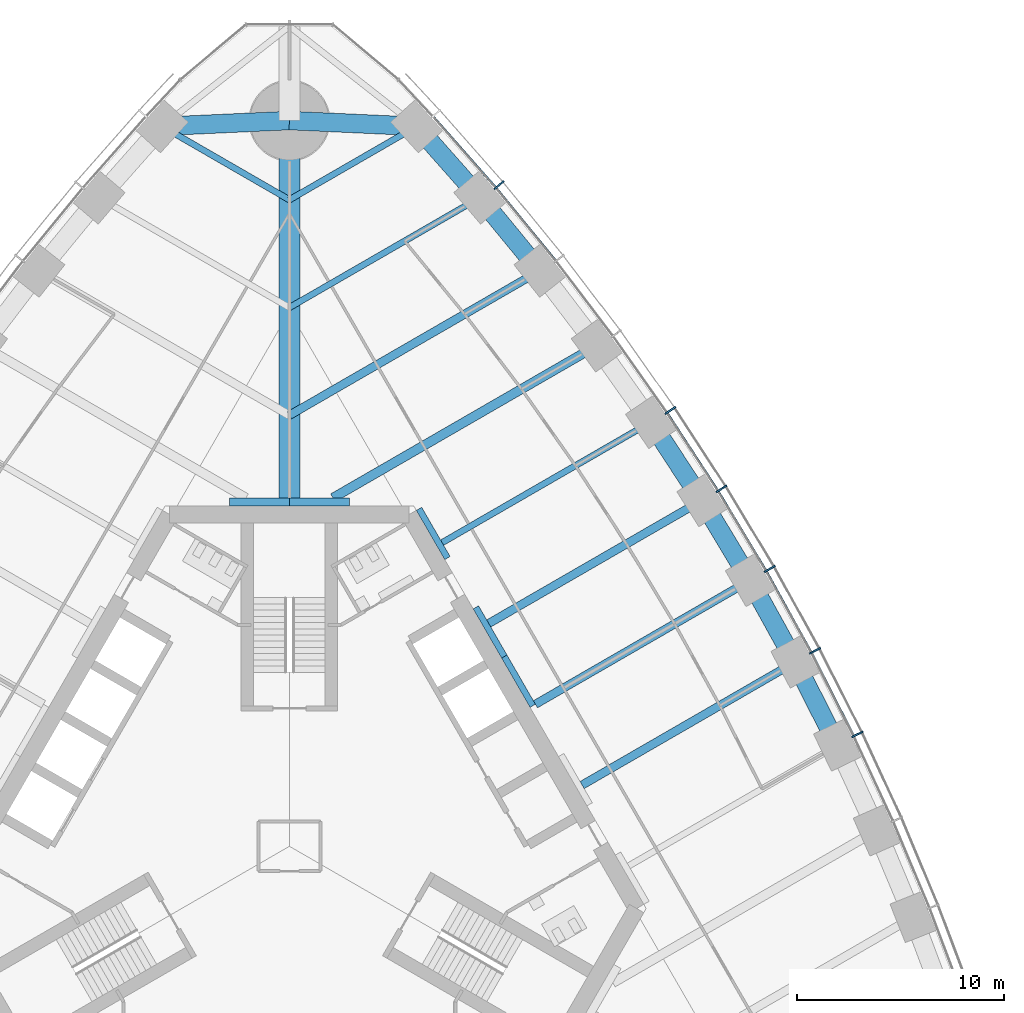
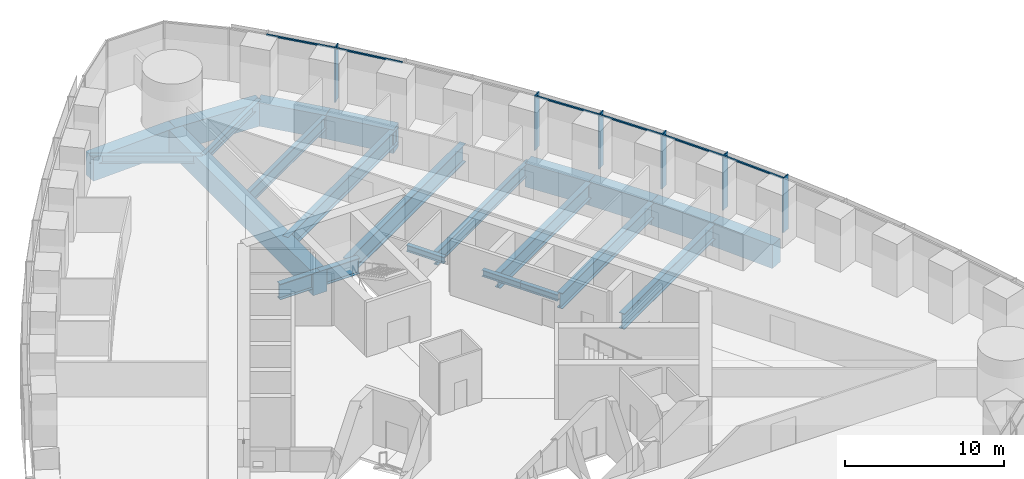
# One storey, part 5 of 19: 23 beams, 12 members, 1 element without a shape of its own.
"""IFC4 building model written with IfcOpenShell, lengths in metres."""

from ifc_helpers import new_model, si_unit, direction, frame, origin, origin_2d, place, context, subcontext, project, spatial, rectangle, i_section, extrude, material, material_profile, profile_set, type_object, element, aggregate, save


model = new_model("IFC4")

# Units and contexts
model_context = context("Model", 3, precision=1e-05, world=origin(), true_north=direction((0.0, 1.0)))
body_context = subcontext(model_context, "Body", "Model", "MODEL_VIEW")
ifc_project = project(units=[si_unit("LENGTHUNIT", "METRE"), si_unit("AREAUNIT", "SQUARE_METRE"), si_unit("VOLUMEUNIT", "CUBIC_METRE"), si_unit("PLANEANGLEUNIT", "RADIAN"), si_unit("MASSUNIT", "GRAM", prefix="KILO")], contexts=[model_context])

# Site, building, storey
site_placement = place(None, origin())
site = spatial("IfcSite", under=ifc_project, at=site_placement, CompositionType="ELEMENT")
building_placement = place(site_placement, origin())
building = spatial("IfcBuilding", under=site, at=building_placement, Name="Trefoil Bronze Tower", CompositionType="ELEMENT")
storey_placement = place(building_placement, frame((0.0, 0.0, 166.10009765625)))
storey = spatial("IfcBuildingStorey", under=building, at=storey_placement, Name="L38", CompositionType="ELEMENT", Elevation=166.10009765625)

# Curtain wall, members
ifc_material_1 = material(Name="Tinted solar-control glass", Category="glass")
curtain_wall_type = type_object("IfcCurtainWallType", Name="Bronze office curtain wall", PredefinedType="USERDEFINED", material=ifc_material_1)
curtain_wall_placement = place(storey_placement, origin())
curtain_wall = element("IfcCurtainWall", 1, at=curtain_wall_placement, inside=storey, type_object=curtain_wall_type, Name="CW-A L38 F2", ObjectType="CURTAIN WALL", PredefinedType="USERDEFINED")
ifc_material_2 = material(Name="Bronze-finish aluminium", Category="aluminium")
ifc_material_profile_1 = material_profile(ifc_material_2, rectangle(XDim=0.60009765625, YDim=0.080078125, at=origin_2d()), Name="CW-A mullion")
ifc_profile_set_1 = profile_set([ifc_material_profile_1], Name="Bronze-finish aluminium")
member_type_1 = type_object("IfcMemberType", Name="Bronze office curtain wall mullion", PredefinedType="MULLION", material=ifc_profile_set_1)
member_1_placement = place(storey_placement, frame((27.394775390625, 5.399169921875, 0.0), z_axis=(0.0, 0.0, 1.0), x_axis=(-0.899819602033, -0.436262173236, 0.0)))
member_1 = element("IfcMember", 2, at=member_1_placement, type_object=member_type_1, Name="CW-A L38 F2 mullion 6", PredefinedType="MULLION", context=body_context, shape_type="SweptSolid", body=[
    extrude(rectangle(XDim=0.60009765625, YDim=0.080078125, at=origin_2d()), origin(), (0.0, 0.0, 1.0), 4.179931640625),
])
member_2_placement = place(storey_placement, frame((25.350830078125, 9.427734375, 0.0), z_axis=(0.0, 0.0, 1.0), x_axis=(-0.883486441467, -0.468456729853, 0.0)))
member_2 = element("IfcMember", 3, at=member_2_placement, type_object=member_type_1, Name="CW-A L38 F2 mullion 7", PredefinedType="MULLION", context=body_context, shape_type="SweptSolid", body=[
    extrude(rectangle(XDim=0.60009765625, YDim=0.080078125, at=origin_2d()), origin(), (0.0, 0.0, 1.0), 4.179931640625),
])
member_3_placement = place(storey_placement, frame((23.166015625, 13.374755859375, 0.0), z_axis=(0.0, 0.0, 1.0), x_axis=(-0.866025403784, -0.5, 0.0)))
member_3 = element("IfcMember", 4, at=member_3_placement, type_object=member_type_1, Name="CW-A L38 F2 mullion 8", PredefinedType="MULLION", context=body_context, shape_type="SweptSolid", body=[
    extrude(rectangle(XDim=0.60009765625, YDim=0.080078125, at=origin_2d()), origin(), (0.0, 0.0, 1.0), 4.179931640625),
])
member_4_placement = place(storey_placement, frame((20.840087890625, 17.24072265625, 0.0), z_axis=(0.0, 0.0, 1.0), x_axis=(-0.84743864936, -0.530893337283, 0.0)))
member_4 = element("IfcMember", 5, at=member_4_placement, type_object=member_type_1, Name="CW-A L38 F2 mullion 9", PredefinedType="MULLION", context=body_context, shape_type="SweptSolid", body=[
    extrude(rectangle(XDim=0.60009765625, YDim=0.080078125, at=origin_2d()), origin(), (0.0, 0.0, 1.0), 4.179931640625),
])
member_5_placement = place(storey_placement, frame((18.373046875, 21.025146484375, 0.0), z_axis=(0.0, 0.0, 1.0), x_axis=(-0.827723925749, -0.561135547566, 0.0)))
member_5 = element("IfcMember", 6, at=member_5_placement, type_object=member_type_1, Name="CW-A L38 F2 mullion 10", PredefinedType="MULLION", context=body_context, shape_type="SweptSolid", body=[
    extrude(rectangle(XDim=0.60009765625, YDim=0.080078125, at=origin_2d()), origin(), (0.0, 0.0, 1.0), 4.179931640625),
])
member_6_placement = place(storey_placement, frame((10.11474609375, 31.8828125, 0.0), z_axis=(0.0, 0.0, 1.0), x_axis=(-0.761721651066, -0.647904411389, 0.0)))
member_6 = element("IfcMember", 7, at=member_6_placement, type_object=member_type_1, Name="CW-A L38 F2 mullion 13", PredefinedType="MULLION", context=body_context, shape_type="SweptSolid", body=[
    extrude(rectangle(XDim=0.60009765625, YDim=0.080078125, at=origin_2d()), origin(), (0.0, 0.0, 1.0), 4.179931640625),
])
ifc_material_3 = material(Name="Bronze-finish aluminium", Category="aluminium")
ifc_material_profile_2 = material_profile(ifc_material_3, rectangle(XDim=0.1201171875, YDim=0.10009765625, at=origin_2d()), Name="CW-A transom")
ifc_profile_set_2 = profile_set([ifc_material_profile_2], Name="Bronze-finish aluminium")
member_type_2 = type_object("IfcMemberType", Name="Bronze office curtain wall transom", PredefinedType="USERDEFINED", material=ifc_profile_set_2)
member_7_placement = place(storey_placement, frame((27.196044921875, 5.34912109375, 4.1298828125), z_axis=(-0.452478489814, 0.891775317138, 0.0), x_axis=(-0.891775317138, -0.452478489814, 0.0)))
member_7 = element("IfcMember", 8, at=member_7_placement, type_object=member_type_2, Name="CW-A L38 F2 transom 6", ObjectType="TRANSOM", PredefinedType="USERDEFINED", context=body_context, shape_type="SweptSolid", body=[
    extrude(rectangle(XDim=0.1201171875, YDim=0.10009765625, at=origin_2d()), origin(), (0.0, 0.0, 1.0), 4.426513671875),
])
member_8_placement = place(storey_placement, frame((25.154052734375, 9.37060546875, 4.1298828125), z_axis=(-0.484329470343, 0.874885686337, 0.0), x_axis=(-0.874885686337, -0.484329470343, 0.0)))
member_8 = element("IfcMember", 9, at=member_8_placement, type_object=member_type_2, Name="CW-A L38 F2 transom 7", ObjectType="TRANSOM", PredefinedType="USERDEFINED", context=body_context, shape_type="SweptSolid", body=[
    extrude(rectangle(XDim=0.1201171875, YDim=0.10009765625, at=origin_2d()), origin(), (0.0, 0.0, 1.0), 4.4208984375),
])
member_9_placement = place(storey_placement, frame((22.97119140625, 13.310546875, 4.1298828125), z_axis=(-0.515526794174, 0.856873458854, 0.0), x_axis=(-0.856873458854, -0.515526794174, 0.0)))
member_9 = element("IfcMember", 10, at=member_9_placement, type_object=member_type_2, Name="CW-A L38 F2 transom 8", ObjectType="TRANSOM", PredefinedType="USERDEFINED", context=body_context, shape_type="SweptSolid", body=[
    extrude(rectangle(XDim=0.1201171875, YDim=0.10009765625, at=origin_2d()), origin(), (0.0, 0.0, 1.0), 4.4208984375),
])
member_10_placement = place(storey_placement, frame((20.647705078125, 17.16943359375, 4.1298828125), z_axis=(-0.546079336226, 0.837733465099, 0.0), x_axis=(-0.837733465099, -0.546079336226, 0.0)))
member_10 = element("IfcMember", 11, at=member_10_placement, type_object=member_type_2, Name="CW-A L38 F2 transom 9", ObjectType="TRANSOM", PredefinedType="USERDEFINED", context=body_context, shape_type="SweptSolid", body=[
    extrude(rectangle(XDim=0.1201171875, YDim=0.10009765625, at=origin_2d()), origin(), (0.0, 0.0, 1.0), 4.426513671875),
])
member_11_placement = place(storey_placement, frame((12.82861328125, 28.255615234375, 4.1298828125), z_axis=(-0.633848872297, 0.773456919995, 0.0), x_axis=(-0.773456919995, -0.633848872297, 0.0)))
member_11 = element("IfcMember", 12, at=member_11_placement, type_object=member_type_2, Name="CW-A L38 F2 transom 12", ObjectType="TRANSOM", PredefinedType="USERDEFINED", context=body_context, shape_type="SweptSolid", body=[
    extrude(rectangle(XDim=0.1201171875, YDim=0.10009765625, at=origin_2d()), origin(), (0.0, 0.0, 1.0), 4.480224609375),
])
member_12_placement = place(storey_placement, frame((9.9345703125, 31.78466796875, 4.1298828125), z_axis=(-0.66173618877, 0.749736764786, 0.0), x_axis=(-0.749736764786, -0.66173618877, 0.0)))
member_12 = element("IfcMember", 13, at=member_12_placement, type_object=member_type_2, Name="CW-A L38 F2 transom 13", ObjectType="TRANSOM", PredefinedType="USERDEFINED", context=body_context, shape_type="SweptSolid", body=[
    extrude(rectangle(XDim=0.1201171875, YDim=0.10009765625, at=origin_2d()), origin(), (0.0, 0.0, 1.0), 4.510986328125),
])
aggregate(curtain_wall, [member_1, member_2, member_3, member_4, member_5, member_6, member_7, member_8, member_9, member_10, member_11, member_12])

# Beams
ifc_material_4 = material(Name="Steel C355", Category="steel")
ifc_material_profile_3 = material_profile(ifc_material_4, i_section(OverallWidth=0.300048828125, OverallDepth=0.5, WebThickness=0.014404296875, FlangeThickness=0.028076171875, FilletRadius=0.027099609375, at=origin_2d()), Name="HEB 500")
ifc_profile_set_3 = profile_set([ifc_material_profile_3], Name="Steel C355")
beam_type_1 = type_object("IfcBeamType", Name="Core seat beam HEB 500", PredefinedType="BEAM", material=ifc_profile_set_3)
for number, where, z_axis, x_axis, name in (
    (14, (11.734619140625, 6.77490234375, -0.4501953125), (-0.499969057507, 0.866043267704, 0.0), (-0.866043267704, -0.499969057507, 0.0), "Core seat beam F2/+0 L38"),
    (15, (10.363525390625, 9.14990234375, -0.4501953125), (-0.500035825175, 0.866004719122, 0.0), (-0.866004719122, -0.500035825175, 0.0), "Core seat beam F2/+1 L38"),
    (16, (7.62109375, 13.89990234375, -0.4501953125), (-0.500035825175, 0.866004719122, 0.0), (-0.866004719122, -0.500035825175, 0.0), "Core seat beam F2/+2 L38"),
):
    element("IfcBeam", number, at=place(storey_placement, frame(where, z_axis=z_axis, x_axis=x_axis)), inside=storey, type_object=beam_type_1, Name=name, PredefinedType="BEAM", context=body_context, shape_type="SweptSolid", body=[
        extrude(i_section(OverallWidth=0.300048828125, OverallDepth=0.5, WebThickness=0.014404296875, FlangeThickness=0.028076171875, FilletRadius=0.027099609375, at=origin_2d()), origin(), (0.0, 0.0, 1.0), 2.742431640625),
    ])
ifc_material_5 = material(Name="Steel C355", Category="steel")
ifc_material_profile_4 = material_profile(ifc_material_5, i_section(OverallWidth=0.39990234375, OverallDepth=1.199951171875, WebThickness=0.02001953125, FlangeThickness=0.0400390625, FilletRadius=0.010009765625, at=origin_2d()), Name="WPG 1200")
ifc_profile_set_4 = profile_set([ifc_material_profile_4], Name="Steel C355")
beam_type_2 = type_object("IfcBeamType", Name="Core seat beam WPG 1200", PredefinedType="BEAM", material=ifc_profile_set_4)
for number, where, z_axis, x_axis, name in (
    (17, (2.88671875, 16.60009765625, -0.800048828125), (-1.0, 0.0, 0.0), (0.0, -1.0, 0.0), "Core seat beam F2/+3 L38"),
    (18, (0.0, 16.60009765625, -0.800048828125), (-1.0, 0.0, 0.0), (0.0, -1.0, 0.0), "Core seat beam F3/-3 L38"),
):
    element("IfcBeam", number, at=place(storey_placement, frame(where, z_axis=z_axis, x_axis=x_axis)), inside=storey, type_object=beam_type_2, Name=name, PredefinedType="BEAM", context=body_context, shape_type="SweptSolid", body=[
        extrude(i_section(OverallWidth=0.39990234375, OverallDepth=1.199951171875, WebThickness=0.02001953125, FlangeThickness=0.0400390625, FilletRadius=0.010009765625, at=origin_2d()), origin(), (0.0, 0.0, 1.0), 2.88671875),
    ])
ifc_material_6 = material(Name="Concrete B80", Category="concrete")
ifc_material_profile_5 = material_profile(ifc_material_6, rectangle(XDim=1.0, YDim=1.699951171875, at=origin_2d()), Name="RC 1000x1700")
ifc_profile_set_5 = profile_set([ifc_material_profile_5], Name="Concrete B80")
beam_type_3 = type_object("IfcBeamType", Name="Corner girder RC 1000x1700", PredefinedType="BEAM", material=ifc_profile_set_5)
beam_1_placement = place(storey_placement, frame((0.0, 16.39990234375, -1.050048828125), z_axis=(0.0, 1.0, 0.0), x_axis=(-1.0, 0.0, 0.0)))
element("IfcBeam", 19, at=beam_1_placement, inside=storey, type_object=beam_type_3, Name="Corner girder K2 L38", PredefinedType="BEAM", context=body_context, shape_type="SweptSolid", body=[
    extrude(rectangle(XDim=1.0, YDim=1.699951171875, at=origin_2d()), origin(), (0.0, 0.0, 1.0), 18.60009765625),
])
ifc_material_7 = material(Name="Concrete B80", Category="concrete")
ifc_material_profile_6 = material_profile(ifc_material_7, rectangle(XDim=0.89990234375, YDim=1.800048828125, at=origin_2d()), Name="RC 900x1800")
ifc_profile_set_6 = profile_set([ifc_material_profile_6], Name="Concrete B80")
beam_type_4 = type_object("IfcBeamType", Name="End spandrel beam RC 900x1800", PredefinedType="SPANDREL", material=ifc_profile_set_6)
for number, where, z_axis, x_axis, name in (
    (20, (6.13916015625, 34.72119140625, -1.10009765625), (-0.998970341464, 0.045368015985, 0.0), (-0.045368015985, -0.998970341464, 0.0), "Spandrel F2.14 L38"),
    (21, (0.0, 35.0, -1.10009765625), (-0.998970341464, -0.045368015985, 0.0), (0.045368015985, -0.998970341464, 0.0), "Spandrel F3.1 L38"),
):
    element("IfcBeam", number, at=place(storey_placement, frame(where, z_axis=z_axis, x_axis=x_axis)), inside=storey, type_object=beam_type_4, Name=name, PredefinedType="SPANDREL", context=body_context, shape_type="SweptSolid", body=[
        extrude(rectangle(XDim=0.89990234375, YDim=1.800048828125, at=origin_2d()), origin(), (0.0, 0.0, 1.0), 6.1455078125),
    ])
ifc_material_8 = material(Name="Steel C355", Category="steel")
ifc_material_profile_7 = material_profile(ifc_material_8, i_section(OverallWidth=0.300048828125, OverallDepth=1.0, WebThickness=0.01904296875, FlangeThickness=0.035888671875, FilletRadius=0.030029296875, at=origin_2d()), Name="HEB 1000")
ifc_profile_set_7 = profile_set([ifc_material_profile_7], Name="Steel C355")
beam_type_5 = type_object("IfcBeamType", Name="Floor beam HEB 1000", PredefinedType="BEAM", material=ifc_profile_set_7)
beam_2_placement = place(storey_placement, frame((9.181884765625, 31.281982421875, -0.7001953125), z_axis=(-0.866021079084, -0.500007490527, 0.0), x_axis=(0.500007490527, -0.866021079084, 0.0)))
element("IfcBeam", 22, at=beam_2_placement, inside=storey, type_object=beam_type_5, Name="Floor beam F2/+5 L38", PredefinedType="BEAM", context=body_context, shape_type="SweptSolid", body=[
    extrude(i_section(OverallWidth=0.300048828125, OverallDepth=1.0, WebThickness=0.01904296875, FlangeThickness=0.035888671875, FilletRadius=0.030029296875, at=origin_2d()), origin(), (0.0, 0.0, 1.0), 10.602294921875),
])
ifc_material_9 = material(Name="Steel C355", Category="steel")
ifc_material_profile_8 = material_profile(ifc_material_9, i_section(OverallWidth=0.300048828125, OverallDepth=0.60009765625, WebThickness=0.015380859375, FlangeThickness=0.030029296875, FilletRadius=0.027099609375, at=origin_2d()), Name="HEB 600")
ifc_profile_set_8 = profile_set([ifc_material_profile_8], Name="Steel C355")
beam_type_6 = type_object("IfcBeamType", Name="Floor beam HEB 600", PredefinedType="BEAM", material=ifc_profile_set_8)
for number, where, z_axis, x_axis, name in (
    (23, (6.13916015625, 34.72119140625, -0.5), (-0.866041060244, -0.499972881236, 0.0), (0.499972881236, -0.866041060244, 0.0), "Floor beam F2/+6 L38"),
    (24, (-6.13916015625, 34.72119140625, -0.5), (0.866041060244, -0.499972881236, 0.0), (0.499972881236, 0.866041060244, 0.0), "Floor beam F3/-6 L38"),
):
    element("IfcBeam", number, at=place(storey_placement, frame(where, z_axis=z_axis, x_axis=x_axis)), inside=storey, type_object=beam_type_6, Name=name, PredefinedType="BEAM", context=body_context, shape_type="SweptSolid", body=[
        extrude(i_section(OverallWidth=0.300048828125, OverallDepth=0.60009765625, WebThickness=0.015380859375, FlangeThickness=0.030029296875, FilletRadius=0.027099609375, at=origin_2d()), origin(), (0.0, 0.0, 1.0), 7.0888671875),
    ])
ifc_material_10 = material(Name="Steel C355", Category="steel")
ifc_material_profile_9 = material_profile(ifc_material_10, i_section(OverallWidth=0.302001953125, OverallDepth=1.008056640625, WebThickness=0.02099609375, FlangeThickness=0.0400390625, FilletRadius=0.030029296875, at=origin_2d()), Name="HEM 1000")
ifc_profile_set_9 = profile_set([ifc_material_profile_9], Name="Steel C355")
beam_type_7 = type_object("IfcBeamType", Name="Floor beam HEM 1000", PredefinedType="BEAM", material=ifc_profile_set_9)
beam_3_placement = place(storey_placement, frame((17.43017578125, 20.45556640625, -0.7041015625), z_axis=(-0.866030626868, -0.499990953245, 0.0), x_axis=(0.499990953245, -0.866030626868, 0.0)))
element("IfcBeam", 25, at=beam_3_placement, inside=storey, type_object=beam_type_7, Name="Floor beam F2/+2 L38", PredefinedType="BEAM", context=body_context, shape_type="SweptSolid", body=[
    extrude(i_section(OverallWidth=0.302001953125, OverallDepth=1.008056640625, WebThickness=0.02099609375, FlangeThickness=0.0400390625, FilletRadius=0.030029296875, at=origin_2d()), origin(), (0.0, 0.0, 1.0), 11.622802734375),
])
ifc_material_11 = material(Name="Steel C355", Category="steel")
ifc_material_profile_10 = material_profile(ifc_material_11, i_section(OverallWidth=0.39990234375, OverallDepth=1.199951171875, WebThickness=0.02001953125, FlangeThickness=0.0400390625, FilletRadius=0.010009765625, at=origin_2d()), Name="WPG 1200")
ifc_profile_set_10 = profile_set([ifc_material_profile_10], Name="Steel C355")
beam_type_8 = type_object("IfcBeamType", Name="Floor beam WPG 1200", PredefinedType="BEAM", material=ifc_profile_set_10)
beam_4_placement = place(storey_placement, frame((24.392578125, 8.886962890625, -0.800048828125), z_axis=(-0.866024236736, -0.500002021381, 0.0), x_axis=(0.500002021381, -0.866024236736, 0.0)))
element("IfcBeam", 26, at=beam_4_placement, inside=storey, type_object=beam_type_8, Name="Floor beam F2/-1 L38", PredefinedType="BEAM", context=body_context, shape_type="SweptSolid", body=[
    extrude(i_section(OverallWidth=0.39990234375, OverallDepth=1.199951171875, WebThickness=0.02001953125, FlangeThickness=0.0400390625, FilletRadius=0.010009765625, at=origin_2d()), origin(), (0.0, 0.0, 1.0), 11.8681640625),
])
beam_5_placement = place(storey_placement, frame((22.21337890625, 12.824951171875, -0.800048828125), z_axis=(-0.866028062731, -0.499995394541, 0.0), x_axis=(0.499995394541, -0.866028062731, 0.0)))
element("IfcBeam", 27, at=beam_5_placement, inside=storey, type_object=beam_type_8, Name="Floor beam F2/+0 L38", PredefinedType="BEAM", context=body_context, shape_type="SweptSolid", body=[
    extrude(i_section(OverallWidth=0.39990234375, OverallDepth=1.199951171875, WebThickness=0.02001953125, FlangeThickness=0.0400390625, FilletRadius=0.010009765625, at=origin_2d()), origin(), (0.0, 0.0, 1.0), 11.94970703125),
])
beam_6_placement = place(storey_placement, frame((19.892578125, 16.68115234375, -0.800048828125), z_axis=(-0.866024236736, -0.500002021381, 0.0), x_axis=(0.500002021381, -0.866024236736, 0.0)))
element("IfcBeam", 28, at=beam_6_placement, inside=storey, type_object=beam_type_8, Name="Floor beam F2/+1 L38", PredefinedType="BEAM", context=body_context, shape_type="SweptSolid", body=[
    extrude(i_section(OverallWidth=0.39990234375, OverallDepth=1.199951171875, WebThickness=0.02001953125, FlangeThickness=0.0400390625, FilletRadius=0.010009765625, at=origin_2d()), origin(), (0.0, 0.0, 1.0), 11.8681640625),
])
beam_7_placement = place(storey_placement, frame((12.07666015625, 27.757080078125, -0.800048828125), z_axis=(-0.866026983775, -0.499997263366, 0.0), x_axis=(0.499997263366, -0.866026983775, 0.0)))
element("IfcBeam", 29, at=beam_7_placement, inside=storey, type_object=beam_type_8, Name="Floor beam F2/+4 L38", PredefinedType="BEAM", context=body_context, shape_type="SweptSolid", body=[
    extrude(i_section(OverallWidth=0.39990234375, OverallDepth=1.199951171875, WebThickness=0.02001953125, FlangeThickness=0.0400390625, FilletRadius=0.010009765625, at=origin_2d()), origin(), (0.0, 0.0, 1.0), 13.94482421875),
])
ifc_material_12 = material(Name="Steel C355", Category="steel")
ifc_material_profile_11 = material_profile(ifc_material_12, i_section(OverallWidth=0.449951171875, OverallDepth=1.39990234375, WebThickness=0.02294921875, FlangeThickness=0.044921875, FilletRadius=0.011962890625, at=origin_2d()), Name="WPG 1400")
ifc_profile_set_11 = profile_set([ifc_material_profile_11], Name="Steel C355")
beam_type_9 = type_object("IfcBeamType", Name="Floor beam WPG 1400", PredefinedType="BEAM", material=ifc_profile_set_11)
beam_8_placement = place(storey_placement, frame((14.825439453125, 24.14794921875, -0.900146484375), z_axis=(-0.866027342682, -0.499996641717, 0.0), x_axis=(0.499996641717, -0.866027342682, 0.0)))
element("IfcBeam", 30, at=beam_8_placement, inside=storey, type_object=beam_type_9, Name="Floor beam F2/+3 L38", PredefinedType="BEAM", context=body_context, shape_type="SweptSolid", body=[
    extrude(i_section(OverallWidth=0.449951171875, OverallDepth=1.39990234375, WebThickness=0.02294921875, FlangeThickness=0.044921875, FilletRadius=0.011962890625, at=origin_2d()), origin(), (0.0, 0.0, 1.0), 14.69580078125),
])
ifc_material_13 = material(Name="Concrete B80", Category="concrete")
ifc_material_profile_12 = material_profile(ifc_material_13, rectangle(XDim=0.89990234375, YDim=1.800048828125, at=origin_2d()), Name="RC 900x1800")
ifc_profile_set_12 = profile_set([ifc_material_profile_12], Name="Concrete B80")
beam_type_10 = type_object("IfcBeamType", Name="Spandrel beam RC 900x1800", PredefinedType="SPANDREL", material=ifc_profile_set_12)
beam_9_placement = place(storey_placement, frame((26.43017578125, 4.8671875, -1.10009765625), z_axis=(-0.452125717735, 0.891954222683, 0.0), x_axis=(-0.891954222683, -0.452125717735, 0.0)))
element("IfcBeam", 31, at=beam_9_placement, inside=storey, type_object=beam_type_10, Name="Spandrel F2.6 L38", PredefinedType="SPANDREL", context=body_context, shape_type="SweptSolid", body=[
    extrude(rectangle(XDim=0.89990234375, YDim=1.800048828125, at=origin_2d()), origin(), (0.0, 0.0, 1.0), 4.506591796875),
])
for number, where, z_axis, x_axis, name in (
    (32, (24.392578125, 8.886962890625, -1.10009765625), (-0.484186866546, 0.874964615436, 0.0), (-0.874964615436, -0.484186866546, 0.0), "Spandrel F2.7 L38"),
    (33, (22.21337890625, 12.824951171875, -1.10009765625), (-0.515651979972, 0.856798129988, 0.0), (-0.856798129988, -0.515651979972, 0.0), "Spandrel F2.8 L38"),
):
    element("IfcBeam", number, at=place(storey_placement, frame(where, z_axis=z_axis, x_axis=x_axis)), inside=storey, type_object=beam_type_10, Name=name, PredefinedType="SPANDREL", context=body_context, shape_type="SweptSolid", body=[
        extrude(rectangle(XDim=0.89990234375, YDim=1.800048828125, at=origin_2d()), origin(), (0.0, 0.0, 1.0), 4.500732421875),
    ])
beam_10_placement = place(storey_placement, frame((19.892578125, 16.68115234375, -1.10009765625), z_axis=(-0.546396670296, 0.83752652417, 0.0), x_axis=(-0.83752652417, -0.546396670296, 0.0)))
element("IfcBeam", 34, at=beam_10_placement, inside=storey, type_object=beam_type_10, Name="Spandrel F2.9 L38", PredefinedType="SPANDREL", context=body_context, shape_type="SweptSolid", body=[
    extrude(rectangle(XDim=0.89990234375, YDim=1.800048828125, at=origin_2d()), origin(), (0.0, 0.0, 1.0), 4.506591796875),
])
beam_11_placement = place(storey_placement, frame((12.07666015625, 27.757080078125, -1.10009765625), z_axis=(-0.634650386838, 0.772799383079, 0.0), x_axis=(-0.772799383079, -0.634650386838, 0.0)))
element("IfcBeam", 35, at=beam_11_placement, inside=storey, type_object=beam_type_10, Name="Spandrel F2.12 L38", PredefinedType="SPANDREL", context=body_context, shape_type="SweptSolid", body=[
    extrude(rectangle(XDim=0.89990234375, YDim=1.800048828125, at=origin_2d()), origin(), (0.0, 0.0, 1.0), 4.561279296875),
])
beam_12_placement = place(storey_placement, frame((9.181884765625, 31.281982421875, -1.10009765625), z_axis=(-0.662616326239, 0.748959013699, 0.0), x_axis=(-0.748959013699, -0.662616326239, 0.0)))
element("IfcBeam", 36, at=beam_12_placement, inside=storey, type_object=beam_type_10, Name="Spandrel F2.13 L38", PredefinedType="SPANDREL", context=body_context, shape_type="SweptSolid", body=[
    extrude(rectangle(XDim=0.89990234375, YDim=1.800048828125, at=origin_2d()), origin(), (0.0, 0.0, 1.0), 4.592041015625),
])

save(model, "model.ifc")
